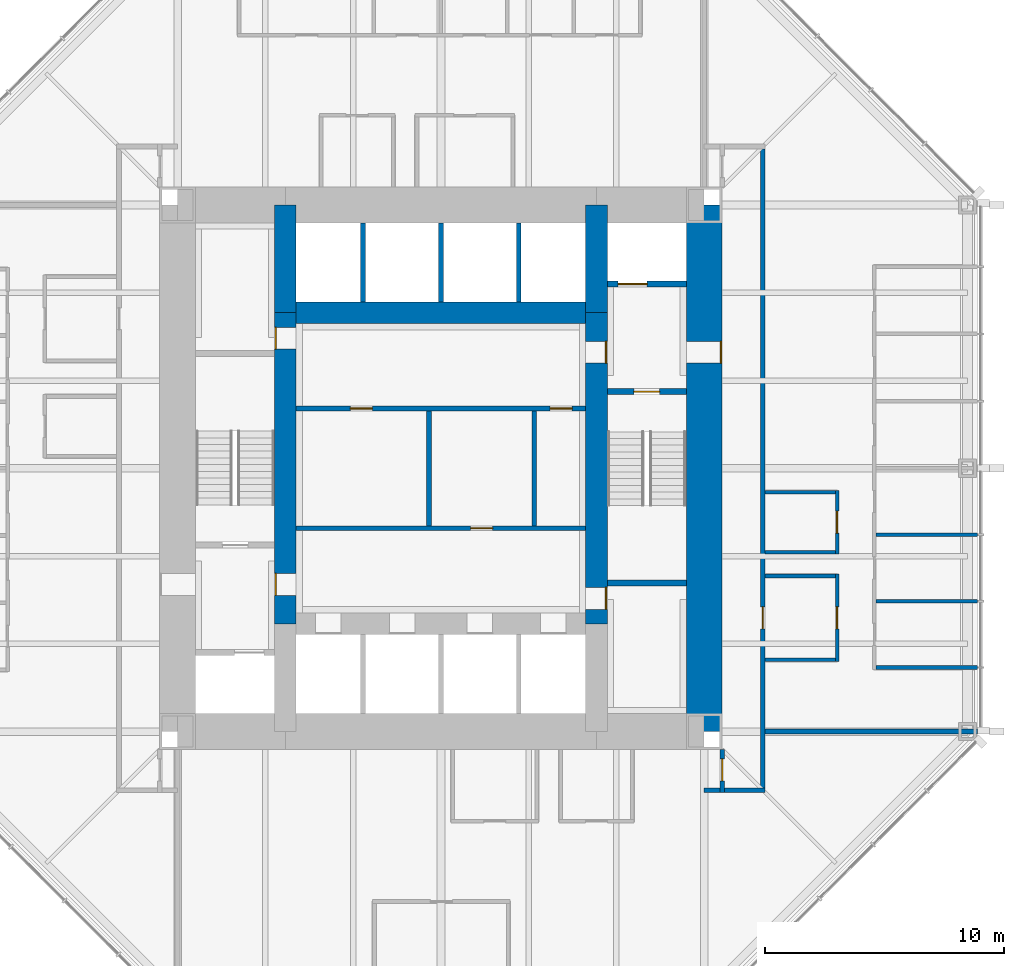
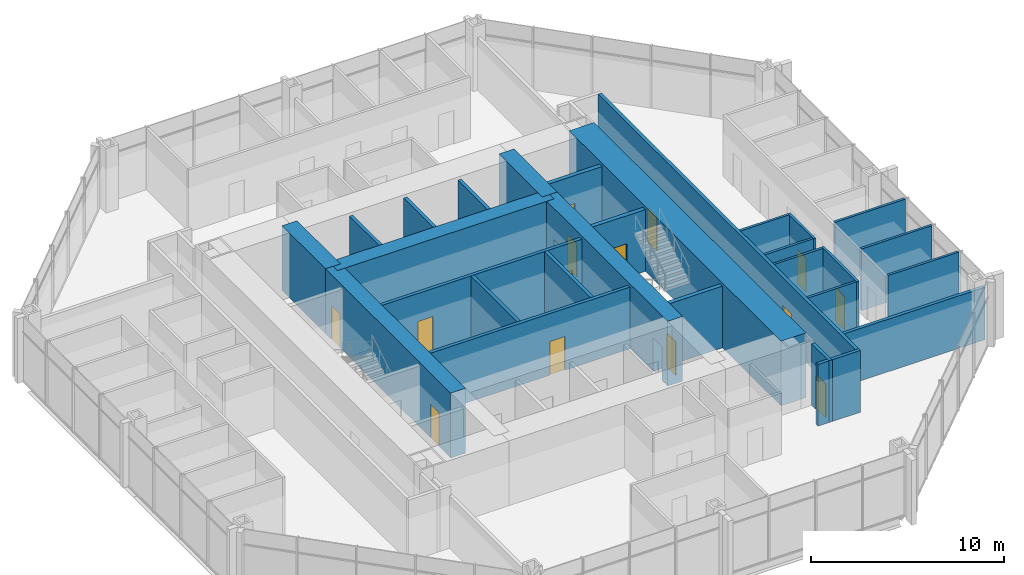
# One storey, part 10 of 14: 29 walls, 14 doors, 14 openings.
"""IFC4 building model written with IfcOpenShell, lengths in metres."""

from ifc_helpers import new_model, si_unit, direction, frame, frame_2d, origin, place, context, subcontext, project, spatial, rectangle, extrude, material, layer, layer_set, type_object, element, fill, save


model = new_model("IFC4")

# Units and contexts
model_context = context("Model", 3, precision=1e-05, world=origin(), true_north=direction((0.0, 1.0)))
body_context = subcontext(model_context, "Body", "Model", "MODEL_VIEW")
ifc_project = project(units=[si_unit("LENGTHUNIT", "METRE"), si_unit("AREAUNIT", "SQUARE_METRE"), si_unit("VOLUMEUNIT", "CUBIC_METRE"), si_unit("PLANEANGLEUNIT", "RADIAN"), si_unit("MASSUNIT", "GRAM", prefix="KILO")], contexts=[model_context])

# Site, building, storey
site_placement = place(None, origin())
site = spatial("IfcSite", under=ifc_project, at=site_placement, CompositionType="ELEMENT")
building_placement = place(site_placement, origin())
building = spatial("IfcBuilding", under=site, at=building_placement, Name="Trevanion Tower", CompositionType="ELEMENT")
storey_placement = place(building_placement, frame((0.0, 0.0, 100.800048828125)))
storey = spatial("IfcBuildingStorey", under=building, at=storey_placement, Name="L23", CompositionType="ELEMENT", Elevation=100.800048828125)

# Wall, opening, door
ifc_material_1 = material(Name="Concrete 10,000 psi", Category="concrete")
ifc_layer_1 = layer(ifc_material_1, 1.5)
ifc_layer_set_1 = layer_set([ifc_layer_1], Name="CW1 core wall 1500")
wall_type_1 = type_object("IfcWallType", Name="CW1 core wall 1500", PredefinedType="SHEAR", material=ifc_layer_set_1)
wall_1_placement = place(storey_placement, frame((11.0, -11.0, 0.0), z_axis=(0.0, 0.0, 1.0), x_axis=(0.0, 1.0, 0.0)))
wall_1 = element("IfcWall", 1, at=wall_1_placement, inside=storey, type_object=wall_type_1, Name="CW1 CE L23", PredefinedType="SHEAR", context=body_context, shape_type="SweptSolid", body=[
    extrude(rectangle(XDim=22.0, YDim=1.5, at=frame_2d((11.0, 0.0))), origin(), (0.0, 0.0, 1.0), 4.099853515625),
])
opening_1_placement = place(wall_1_placement, frame((15.392578125, 0.0, 0.0)))
opening_1 = element("IfcOpeningElement", 2, at=opening_1_placement, cuts=wall_1, Name="Opening 23-001", PredefinedType="OPENING", context=body_context, shape_type="SweptSolid", body=[
    extrude(rectangle(XDim=0.9150390625, YDim=2.134033203125, at=frame_2d((0.45751953125, 1.06689453125))), frame((0.0, 0.760009765625, 0.0), z_axis=(0.0, -1.0, 0.0), x_axis=(1.0, 0.0, 0.0)), (0.0, 0.0, 1.0), 1.52001953125),
])
ifc_material_2 = material(Name="Hollow metal, fire rated", Category="steel")
door_type_1 = type_object("IfcDoorType", Name="D3 fire lift lobby door", OperationType="SINGLE_SWING_RIGHT", PredefinedType="DOOR", material=ifc_material_2)
door_1_placement = place(opening_1_placement, origin())
door_1 = element("IfcDoor", 3, at=door_1_placement, inside=storey, type_object=door_type_1, Name="Door 23-001", OperationType="SINGLE_SWING_RIGHT", OverallHeight=2.134033203125, OverallWidth=0.9150390625, PredefinedType="DOOR", context=body_context, shape_type="SweptSolid", body=[
    extrude(rectangle(XDim=0.9150390625, YDim=2.134033203125, at=frame_2d((0.45751953125, 1.06689453125))), frame((0.0, -0.6748046875, 0.0), z_axis=(0.0, -1.0, 0.0), x_axis=(1.0, 0.0, 0.0)), (0.0, 0.0, 1.0), 0.050048828125),
])
fill(opening_1, door_1)

# Wall, openings, doors
ifc_material_3 = material(Name="Concrete 10,000 psi", Category="concrete")
ifc_layer_2 = layer(ifc_material_3, 0.89990234375)
ifc_layer_set_2 = layer_set([ifc_layer_2], Name="CW2 core wall 900")
wall_type_2 = type_object("IfcWallType", Name="CW2 core wall 900", PredefinedType="SHEAR", material=ifc_layer_set_2)
wall_2_placement = place(storey_placement, frame((6.5, -6.5, 0.0), z_axis=(0.0, 0.0, 1.0), x_axis=(0.0, 1.0, 0.0)))
wall_2 = element("IfcWall", 4, at=wall_2_placement, inside=storey, type_object=wall_type_2, Name="CW2 RE2 L23", PredefinedType="SHEAR", context=body_context, shape_type="SweptSolid", body=[
    extrude(rectangle(XDim=13.0, YDim=0.89990234375, at=frame_2d((6.5, 0.0))), origin(), (0.0, 0.0, 1.0), 4.099853515625),
])
opening_2_placement = place(wall_2_placement, frame((10.892578125, 0.0, 0.0)))
opening_2 = element("IfcOpeningElement", 5, at=opening_2_placement, cuts=wall_2, Name="Opening 23-003", PredefinedType="OPENING", context=body_context, shape_type="SweptSolid", body=[
    extrude(rectangle(XDim=0.9150390625, YDim=2.134033203125, at=frame_2d((0.45751953125, 1.06689453125))), frame((0.0, 0.4599609375, 0.0), z_axis=(0.0, -1.0, 0.0), x_axis=(1.0, 0.0, 0.0)), (0.0, 0.0, 1.0), 0.919921875),
])
opening_3_placement = place(wall_2_placement, frame((0.610107421875, 0.0, 0.0)))
opening_3 = element("IfcOpeningElement", 6, at=opening_3_placement, cuts=wall_2, Name="Opening 23-009", PredefinedType="OPENING", context=body_context, shape_type="SweptSolid", body=[
    extrude(rectangle(XDim=0.9150390625, YDim=2.134033203125, at=frame_2d((0.45751953125, 1.06689453125))), frame((0.0, 0.4599609375, 0.0), z_axis=(0.0, -1.0, 0.0), x_axis=(1.0, 0.0, 0.0)), (0.0, 0.0, 1.0), 0.919921875),
])
door_2_placement = place(opening_2_placement, origin())
door_2 = element("IfcDoor", 7, at=door_2_placement, inside=storey, type_object=door_type_1, Name="Door 23-003", OperationType="SINGLE_SWING_RIGHT", OverallHeight=2.134033203125, OverallWidth=0.9150390625, PredefinedType="DOOR", context=body_context, shape_type="SweptSolid", body=[
    extrude(rectangle(XDim=0.9150390625, YDim=2.134033203125, at=frame_2d((0.45751953125, 1.06689453125))), frame((0.0, -0.375, 0.0), z_axis=(0.0, -1.0, 0.0), x_axis=(1.0, 0.0, 0.0)), (0.0, 0.0, 1.0), 0.050048828125),
])
fill(opening_2, door_2)
ifc_material_4 = material(Name="Hollow metal, fire rated", Category="steel")
door_type_2 = type_object("IfcDoorType", Name="D5 service room door", OperationType="SINGLE_SWING_RIGHT", PredefinedType="DOOR", material=ifc_material_4)
door_3_placement = place(opening_3_placement, origin())
door_3 = element("IfcDoor", 8, at=door_3_placement, inside=storey, type_object=door_type_2, Name="Door 23-009", OperationType="SINGLE_SWING_RIGHT", OverallHeight=2.134033203125, OverallWidth=0.9150390625, PredefinedType="DOOR", context=body_context, shape_type="SweptSolid", body=[
    extrude(rectangle(XDim=0.9150390625, YDim=2.134033203125, at=frame_2d((0.45751953125, 1.06689453125))), frame((0.0, -0.375, 0.0), z_axis=(0.0, -1.0, 0.0), x_axis=(1.0, 0.0, 0.0)), (0.0, 0.0, 1.0), 0.050048828125),
])
fill(opening_3, door_3)

# Walls
for number, where, z_axis, x_axis, name in (
    (9, (6.5, 6.5, 0.0), (0.0, 0.0, 1.0), (0.0, 1.0, 0.0), "CW2 RE3 L23"),
    (10, (-6.5, 11.0, 0.0), (0.0, 0.0, 1.0), (0.0, -1.0, 0.0), "CW2 RW1 L23"),
):
    element("IfcWall", number, at=place(storey_placement, frame(where, z_axis=z_axis, x_axis=x_axis)), inside=storey, type_object=wall_type_2, Name=name, PredefinedType="SHEAR", context=body_context, shape_type="SweptSolid", body=[
        extrude(rectangle(XDim=4.5, YDim=0.89990234375, at=frame_2d((2.25, 0.0))), origin(), (0.0, 0.0, 1.0), 4.099853515625),
    ])

# Wall, openings, doors
wall_3_placement = place(storey_placement, frame((-6.5, 6.5, 0.0), z_axis=(0.0, 0.0, 1.0), x_axis=(0.0, -1.0, 0.0)))
wall_3 = element("IfcWall", 11, at=wall_3_placement, inside=storey, type_object=wall_type_2, Name="CW2 RW2 L23", PredefinedType="SHEAR", context=body_context, shape_type="SweptSolid", body=[
    extrude(rectangle(XDim=13.0, YDim=0.89990234375, at=frame_2d((6.5, 0.0))), origin(), (0.0, 0.0, 1.0), 4.099853515625),
])
opening_4_placement = place(wall_3_placement, frame((10.892578125, 0.0, 0.0)))
opening_4 = element("IfcOpeningElement", 12, at=opening_4_placement, cuts=wall_3, Name="Opening 23-004", PredefinedType="OPENING", context=body_context, shape_type="SweptSolid", body=[
    extrude(rectangle(XDim=0.9150390625, YDim=2.134033203125, at=frame_2d((0.45751953125, 1.06689453125))), frame((0.0, 0.4599609375, 0.0), z_axis=(0.0, -1.0, 0.0), x_axis=(1.0, 0.0, 0.0)), (0.0, 0.0, 1.0), 0.919921875),
])
opening_5_placement = place(wall_3_placement, frame((0.610107421875, 0.0, 0.0)))
opening_5 = element("IfcOpeningElement", 13, at=opening_5_placement, cuts=wall_3, Name="Opening 23-010", PredefinedType="OPENING", context=body_context, shape_type="SweptSolid", body=[
    extrude(rectangle(XDim=0.9150390625, YDim=2.134033203125, at=frame_2d((0.45751953125, 1.06689453125))), frame((0.0, 0.4599609375, 0.0), z_axis=(0.0, -1.0, 0.0), x_axis=(1.0, 0.0, 0.0)), (0.0, 0.0, 1.0), 0.919921875),
])
door_4_placement = place(opening_4_placement, origin())
door_4 = element("IfcDoor", 14, at=door_4_placement, inside=storey, type_object=door_type_1, Name="Door 23-004", OperationType="SINGLE_SWING_RIGHT", OverallHeight=2.134033203125, OverallWidth=0.9150390625, PredefinedType="DOOR", context=body_context, shape_type="SweptSolid", body=[
    extrude(rectangle(XDim=0.9150390625, YDim=2.134033203125, at=frame_2d((0.45751953125, 1.06689453125))), frame((0.0, -0.375, 0.0), z_axis=(0.0, -1.0, 0.0), x_axis=(1.0, 0.0, 0.0)), (0.0, 0.0, 1.0), 0.050048828125),
])
fill(opening_4, door_4)
door_5_placement = place(opening_5_placement, origin())
door_5 = element("IfcDoor", 15, at=door_5_placement, inside=storey, type_object=door_type_2, Name="Door 23-010", OperationType="SINGLE_SWING_RIGHT", OverallHeight=2.134033203125, OverallWidth=0.9150390625, PredefinedType="DOOR", context=body_context, shape_type="SweptSolid", body=[
    extrude(rectangle(XDim=0.9150390625, YDim=2.134033203125, at=frame_2d((0.45751953125, 1.06689453125))), frame((0.0, -0.375, 0.0), z_axis=(0.0, -1.0, 0.0), x_axis=(1.0, 0.0, 0.0)), (0.0, 0.0, 1.0), 0.050048828125),
])
fill(opening_5, door_5)

# Walls
wall_4_placement = place(storey_placement, frame((6.5, 6.5, 0.0), z_axis=(0.0, 0.0, 1.0), x_axis=(-1.0, 0.0, 0.0)))
element("IfcWall", 16, at=wall_4_placement, inside=storey, type_object=wall_type_2, Name="CW2 RN L23", PredefinedType="SHEAR", context=body_context, shape_type="SweptSolid", body=[
    extrude(rectangle(XDim=13.0, YDim=0.89990234375, at=frame_2d((6.5, 0.0))), origin(), (0.0, 0.0, 1.0), 4.099853515625),
])
ifc_material_5 = material(Name="Gypsum board on steel studs", Category="steel")
ifc_layer_3 = layer(ifc_material_5, 0.14990234375)
ifc_layer_set_3 = layer_set([ifc_layer_3], Name="PT1 partition 150")
wall_type_3 = type_object("IfcWallType", Name="PT1 partition 150", PredefinedType="PARTITIONING", material=ifc_layer_set_3)
for number, where, z_axis, x_axis, name in (
    (17, (18.175048828125, -8.322998046875, 0.0), (0.0, 0.0, 1.0), (1.0, 0.0, 0.0), "PT1 L23 FC0S0"),
    (18, (18.175048828125, -5.549072265625, 0.0), (0.0, 0.0, 1.0), (1.0, 0.0, 0.0), "PT1 L23 FC0S1"),
    (19, (18.175048828125, -2.77490234375, 0.0), (0.0, 0.0, 1.0), (1.0, 0.0, 0.0), "PT1 L23 FC0S2"),
):
    element("IfcWall", number, at=place(storey_placement, frame(where, z_axis=z_axis, x_axis=x_axis)), inside=storey, type_object=wall_type_3, Name=name, PredefinedType="PARTITIONING", context=body_context, shape_type="SweptSolid", body=[
        extrude(rectangle(XDim=4.239990234375, YDim=0.14990234375, at=frame_2d((2.1201171875, 0.0))), origin(), (0.0, 0.0, 1.0), 3.909912109375),
    ])

# Wall, opening, door
wall_5_placement = place(storey_placement, frame((16.550048828125, -8.074951171875, 0.0), z_axis=(0.0, 0.0, 1.0), x_axis=(0.0, 1.0, 0.0)))
wall_5 = element("IfcWall", 20, at=wall_5_placement, inside=storey, type_object=wall_type_3, Name="PT1 L23 IN00F", PredefinedType="PARTITIONING", context=body_context, shape_type="SweptSolid", body=[
    extrude(rectangle(XDim=3.64990234375, YDim=0.14990234375, at=frame_2d((1.824951171875, 0.0))), origin(), (0.0, 0.0, 1.0), 3.909912109375),
])
opening_6_placement = place(wall_5_placement, frame((1.367431640625, 0.0, 0.0)))
opening_6 = element("IfcOpeningElement", 21, at=opening_6_placement, cuts=wall_5, Name="Opening 23-040", PredefinedType="OPENING", context=body_context, shape_type="SweptSolid", body=[
    extrude(rectangle(XDim=0.9150390625, YDim=2.134033203125, at=frame_2d((0.45751953125, 1.06689453125))), frame((0.0, 0.0849609375, 0.0), z_axis=(0.0, -1.0, 0.0), x_axis=(1.0, 0.0, 0.0)), (0.0, 0.0, 1.0), 0.169921875),
])
ifc_material_6 = material(Name="Timber veneer, solid core", Category="wood")
door_type_3 = type_object("IfcDoorType", Name="D1 office and meeting room door", OperationType="SINGLE_SWING_LEFT", PredefinedType="DOOR", material=ifc_material_6)
door_6_placement = place(opening_6_placement, origin())
door_6 = element("IfcDoor", 22, at=door_6_placement, inside=storey, type_object=door_type_3, Name="Door 23-040", OperationType="SINGLE_SWING_LEFT", OverallHeight=2.134033203125, OverallWidth=0.9150390625, PredefinedType="DOOR", context=body_context, shape_type="SweptSolid", body=[
    extrude(rectangle(XDim=0.9150390625, YDim=2.134033203125, at=frame_2d((0.45751953125, 1.06689453125))), frame((0.0, 0.02490234375, 0.0), z_axis=(0.0, -1.0, 0.0), x_axis=(1.0, 0.0, 0.0)), (0.0, 0.0, 1.0), 0.050048828125),
])
fill(opening_6, door_6)

# Walls
for number, where, z_axis, x_axis, name in (
    (23, (16.47509765625, -8.0, 0.0), (0.0, 0.0, 1.0), (-1.0, 0.0, 0.0), "PT1 L23 IN00S0"),
    (24, (16.47509765625, -4.5, 0.0), (0.0, 0.0, 1.0), (-1.0, 0.0, 0.0), "PT1 L23 IN00S1"),
):
    element("IfcWall", number, at=place(storey_placement, frame(where, z_axis=z_axis, x_axis=x_axis)), inside=storey, type_object=wall_type_3, Name=name, PredefinedType="PARTITIONING", context=body_context, shape_type="SweptSolid", body=[
        extrude(rectangle(XDim=2.925048828125, YDim=0.14990234375, at=frame_2d((1.46240234375, 0.0))), origin(), (0.0, 0.0, 1.0), 3.909912109375),
    ])

# Wall, opening, door
wall_6_placement = place(storey_placement, frame((16.550048828125, -3.574951171875, 0.0), z_axis=(0.0, 0.0, 1.0), x_axis=(0.0, 1.0, 0.0)))
wall_6 = element("IfcWall", 25, at=wall_6_placement, inside=storey, type_object=wall_type_3, Name="PT1 L23 IN01F", PredefinedType="PARTITIONING", context=body_context, shape_type="SweptSolid", body=[
    extrude(rectangle(XDim=2.64990234375, YDim=0.14990234375, at=frame_2d((1.324951171875, 0.0))), origin(), (0.0, 0.0, 1.0), 3.909912109375),
])
opening_7_placement = place(wall_6_placement, frame((0.867431640625, 0.0, 0.0)))
opening_7 = element("IfcOpeningElement", 26, at=opening_7_placement, cuts=wall_6, Name="Opening 23-042", PredefinedType="OPENING", context=body_context, shape_type="SweptSolid", body=[
    extrude(rectangle(XDim=0.9150390625, YDim=2.134033203125, at=frame_2d((0.45751953125, 1.06689453125))), frame((0.0, 0.0849609375, 0.0), z_axis=(0.0, -1.0, 0.0), x_axis=(1.0, 0.0, 0.0)), (0.0, 0.0, 1.0), 0.169921875),
])
door_7_placement = place(opening_7_placement, origin())
door_7 = element("IfcDoor", 27, at=door_7_placement, inside=storey, type_object=door_type_3, Name="Door 23-042", OperationType="SINGLE_SWING_LEFT", OverallHeight=2.134033203125, OverallWidth=0.9150390625, PredefinedType="DOOR", context=body_context, shape_type="SweptSolid", body=[
    extrude(rectangle(XDim=0.9150390625, YDim=2.134033203125, at=frame_2d((0.45751953125, 1.06689453125))), frame((0.0, 0.02490234375, 0.0), z_axis=(0.0, -1.0, 0.0), x_axis=(1.0, 0.0, 0.0)), (0.0, 0.0, 1.0), 0.050048828125),
])
fill(opening_7, door_7)

# Walls
for number, where, z_axis, x_axis, name in (
    (28, (16.47509765625, -3.5, 0.0), (0.0, 0.0, 1.0), (-1.0, 0.0, 0.0), "PT1 L23 IN01S0"),
    (29, (16.47509765625, -1.0, 0.0), (0.0, 0.0, 1.0), (-1.0, 0.0, 0.0), "PT1 L23 IN01S1"),
):
    element("IfcWall", number, at=place(storey_placement, frame(where, z_axis=z_axis, x_axis=x_axis)), inside=storey, type_object=wall_type_3, Name=name, PredefinedType="PARTITIONING", context=body_context, shape_type="SweptSolid", body=[
        extrude(rectangle(XDim=2.925048828125, YDim=0.14990234375, at=frame_2d((1.46240234375, 0.0))), origin(), (0.0, 0.0, 1.0), 3.909912109375),
    ])
ifc_material_7 = material(Name="Concrete masonry, grouted", Category="masonry")
ifc_layer_4 = layer(ifc_material_7, 0.199951171875)
ifc_layer_set_4 = layer_set([ifc_layer_4], Name="PT2 partition 200")
wall_type_4 = type_object("IfcWallType", Name="PT2 partition 200", PredefinedType="PARTITIONING", material=ifc_layer_set_4)
for number, where, z_axis, x_axis, name in (
    (30, (-0.5, -2.39990234375, 0.0), (0.0, 0.0, 1.0), (0.0, 1.0, 0.0), "PT2 L23 TP1"),
    (31, (3.89990234375, -2.39990234375, 0.0), (0.0, 0.0, 1.0), (0.0, 1.0, 0.0), "PT2 L23 TP2"),
):
    element("IfcWall", number, at=place(storey_placement, frame(where, z_axis=z_axis, x_axis=x_axis)), inside=storey, type_object=wall_type_4, Name=name, PredefinedType="PARTITIONING", context=body_context, shape_type="SweptSolid", body=[
        extrude(rectangle(XDim=4.7998046875, YDim=0.199951171875, at=frame_2d((2.39990234375, 0.0))), origin(), (0.0, 0.0, 1.0), 3.909912109375),
    ])

# Wall, openings, doors
ifc_material_8 = material(Name="Concrete masonry, grouted", Category="masonry")
ifc_layer_5 = layer(ifc_material_8, 0.199951171875)
ifc_layer_set_5 = layer_set([ifc_layer_5], Name="PT2 partition 200 1 HR")
wall_type_5 = type_object("IfcWallType", Name="PT2 partition 200 1 HR", PredefinedType="PARTITIONING", material=ifc_layer_set_5)
wall_7_placement = place(storey_placement, frame((-6.050048828125, 2.5, 0.0), z_axis=(0.0, 0.0, 1.0), x_axis=(1.0, 0.0, 0.0)))
wall_7 = element("IfcWall", 32, at=wall_7_placement, inside=storey, type_object=wall_type_5, Name="PT2 L23 CP1", PredefinedType="PARTITIONING", context=body_context, shape_type="SweptSolid", body=[
    extrude(rectangle(XDim=12.10009765625, YDim=0.199951171875, at=frame_2d((6.050048828125, 0.0))), origin(), (0.0, 0.0, 1.0), 3.909912109375),
])
opening_8_placement = place(wall_7_placement, frame((2.267578125, 0.0, 0.0)))
opening_8 = element("IfcOpeningElement", 33, at=opening_8_placement, cuts=wall_7, Name="Opening 23-015", PredefinedType="OPENING", context=body_context, shape_type="SweptSolid", body=[
    extrude(rectangle(XDim=0.9150390625, YDim=2.134033203125, at=frame_2d((0.45751953125, 1.06689453125))), frame((0.0, 0.10986328125, 0.0), z_axis=(0.0, -1.0, 0.0), x_axis=(1.0, 0.0, 0.0)), (0.0, 0.0, 1.0), 0.219970703125),
])
opening_9_placement = place(wall_7_placement, frame((10.617431640625, 0.0, 0.0)))
opening_9 = element("IfcOpeningElement", 34, at=opening_9_placement, cuts=wall_7, Name="Opening 23-017", PredefinedType="OPENING", context=body_context, shape_type="SweptSolid", body=[
    extrude(rectangle(XDim=0.9150390625, YDim=2.134033203125, at=frame_2d((0.45751953125, 1.06689453125))), frame((0.0, 0.10986328125, 0.0), z_axis=(0.0, -1.0, 0.0), x_axis=(1.0, 0.0, 0.0)), (0.0, 0.0, 1.0), 0.219970703125),
])
ifc_material_9 = material(Name="Plastic laminate on fire-rated core", Category="wood")
door_type_4 = type_object("IfcDoorType", Name="D12 toilet door in a one hour wall", OperationType="SINGLE_SWING_LEFT", PredefinedType="DOOR", material=ifc_material_9)
door_8_placement = place(opening_8_placement, origin())
door_8 = element("IfcDoor", 35, at=door_8_placement, inside=storey, type_object=door_type_4, Name="Door 23-015", OperationType="SINGLE_SWING_LEFT", OverallHeight=2.134033203125, OverallWidth=0.9150390625, PredefinedType="DOOR", context=body_context, shape_type="SweptSolid", body=[
    extrude(rectangle(XDim=0.9150390625, YDim=2.134033203125, at=frame_2d((0.45751953125, 1.06689453125))), frame((0.0, 0.02490234375, 0.0), z_axis=(0.0, -1.0, 0.0), x_axis=(1.0, 0.0, 0.0)), (0.0, 0.0, 1.0), 0.050048828125),
])
fill(opening_8, door_8)
door_9_placement = place(opening_9_placement, origin())
door_9 = element("IfcDoor", 36, at=door_9_placement, inside=storey, type_object=door_type_4, Name="Door 23-017", OperationType="SINGLE_SWING_LEFT", OverallHeight=2.134033203125, OverallWidth=0.9150390625, PredefinedType="DOOR", context=body_context, shape_type="SweptSolid", body=[
    extrude(rectangle(XDim=0.9150390625, YDim=2.134033203125, at=frame_2d((0.45751953125, 1.06689453125))), frame((0.0, 0.02490234375, 0.0), z_axis=(0.0, -1.0, 0.0), x_axis=(1.0, 0.0, 0.0)), (0.0, 0.0, 1.0), 0.050048828125),
])
fill(opening_9, door_9)

# Wall, opening, door
wall_8_placement = place(storey_placement, frame((6.050048828125, -2.5, 0.0), z_axis=(0.0, 0.0, 1.0), x_axis=(-1.0, 0.0, 0.0)))
wall_8 = element("IfcWall", 37, at=wall_8_placement, inside=storey, type_object=wall_type_5, Name="PT2 L23 CP2", PredefinedType="PARTITIONING", context=body_context, shape_type="SweptSolid", body=[
    extrude(rectangle(XDim=12.10009765625, YDim=0.199951171875, at=frame_2d((6.050048828125, 0.0))), origin(), (0.0, 0.0, 1.0), 3.909912109375),
])
opening_10_placement = place(wall_8_placement, frame((3.892578125, 0.0, 0.0)))
opening_10 = element("IfcOpeningElement", 38, at=opening_10_placement, cuts=wall_8, Name="Opening 23-016", PredefinedType="OPENING", context=body_context, shape_type="SweptSolid", body=[
    extrude(rectangle(XDim=0.9150390625, YDim=2.134033203125, at=frame_2d((0.45751953125, 1.06689453125))), frame((0.0, 0.10986328125, 0.0), z_axis=(0.0, -1.0, 0.0), x_axis=(1.0, 0.0, 0.0)), (0.0, 0.0, 1.0), 0.219970703125),
])
door_10_placement = place(opening_10_placement, origin())
door_10 = element("IfcDoor", 39, at=door_10_placement, inside=storey, type_object=door_type_4, Name="Door 23-016", OperationType="SINGLE_SWING_LEFT", OverallHeight=2.134033203125, OverallWidth=0.9150390625, PredefinedType="DOOR", context=body_context, shape_type="SweptSolid", body=[
    extrude(rectangle(XDim=0.9150390625, YDim=2.134033203125, at=frame_2d((0.45751953125, 1.06689453125))), frame((0.0, 0.02490234375, 0.0), z_axis=(0.0, -1.0, 0.0), x_axis=(1.0, 0.0, 0.0)), (0.0, 0.0, 1.0), 0.050048828125),
])
fill(opening_10, door_10)

wall_9_placement = place(storey_placement, frame((13.449951171875, -13.550048828125, 0.0), z_axis=(0.0, 0.0, 1.0), x_axis=(0.0, 1.0, 0.0)))
wall_9 = element("IfcWall", 40, at=wall_9_placement, inside=storey, type_object=wall_type_5, Name="PT2 L23 OC0", PredefinedType="PARTITIONING", context=body_context, shape_type="SweptSolid", body=[
    extrude(rectangle(XDim=26.900146484375, YDim=0.199951171875, at=frame_2d((13.4501953125, 0.0))), origin(), (0.0, 0.0, 1.0), 3.909912109375),
])
opening_11_placement = place(wall_9_placement, frame((6.842529296875, 0.0, 0.0)))
opening_11 = element("IfcOpeningElement", 41, at=opening_11_placement, cuts=wall_9, Name="Opening 23-041", PredefinedType="OPENING", context=body_context, shape_type="SweptSolid", body=[
    extrude(rectangle(XDim=0.9150390625, YDim=2.134033203125, at=frame_2d((0.45751953125, 1.06689453125))), frame((0.0, 0.10986328125, 0.0), z_axis=(0.0, -1.0, 0.0), x_axis=(1.0, 0.0, 0.0)), (0.0, 0.0, 1.0), 0.219970703125),
])
ifc_material_10 = material(Name="Timber veneer, fire rated", Category="wood")
door_type_5 = type_object("IfcDoorType", Name="D10 office door in a one hour wall", OperationType="SINGLE_SWING_LEFT", PredefinedType="DOOR", material=ifc_material_10)
door_11_placement = place(opening_11_placement, origin())
door_11 = element("IfcDoor", 42, at=door_11_placement, inside=storey, type_object=door_type_5, Name="Door 23-041", OperationType="SINGLE_SWING_LEFT", OverallHeight=2.134033203125, OverallWidth=0.9150390625, PredefinedType="DOOR", context=body_context, shape_type="SweptSolid", body=[
    extrude(rectangle(XDim=0.9150390625, YDim=2.134033203125, at=frame_2d((0.45751953125, 1.06689453125))), frame((0.0, 0.02490234375, 0.0), z_axis=(0.0, -1.0, 0.0), x_axis=(1.0, 0.0, 0.0)), (0.0, 0.0, 1.0), 0.050048828125),
])
fill(opening_11, door_11)

wall_10_placement = place(storey_placement, frame((11.75, -11.75, 0.0), z_axis=(0.0, 0.0, 1.0), x_axis=(0.0, -1.0, 0.0)))
wall_10 = element("IfcWall", 43, at=wall_10_placement, inside=storey, type_object=wall_type_5, Name="PT2 L23 OUSE1", PredefinedType="PARTITIONING", context=body_context, shape_type="SweptSolid", body=[
    extrude(rectangle(XDim=1.800048828125, YDim=0.199951171875, at=frame_2d((0.89990234375, 0.0))), origin(), (0.0, 0.0, 1.0), 3.909912109375),
])
opening_12_placement = place(wall_10_placement, frame((0.392578125, 0.0, 0.0)))
opening_12 = element("IfcOpeningElement", 44, at=opening_12_placement, cuts=wall_10, Name="Opening 23-020", PredefinedType="OPENING", context=body_context, shape_type="SweptSolid", body=[
    extrude(rectangle(XDim=0.9150390625, YDim=2.134033203125, at=frame_2d((0.45751953125, 1.06689453125))), frame((0.0, 0.10986328125, 0.0), z_axis=(0.0, -1.0, 0.0), x_axis=(1.0, 0.0, 0.0)), (0.0, 0.0, 1.0), 0.219970703125),
])
door_12_placement = place(opening_12_placement, origin())
door_12 = element("IfcDoor", 45, at=door_12_placement, inside=storey, type_object=door_type_5, Name="Door 23-020", OperationType="SINGLE_SWING_LEFT", OverallHeight=2.134033203125, OverallWidth=0.9150390625, PredefinedType="DOOR", context=body_context, shape_type="SweptSolid", body=[
    extrude(rectangle(XDim=0.9150390625, YDim=2.134033203125, at=frame_2d((0.45751953125, 1.06689453125))), frame((0.0, 0.02490234375, 0.0), z_axis=(0.0, -1.0, 0.0), x_axis=(1.0, 0.0, 0.0)), (0.0, 0.0, 1.0), 0.050048828125),
])
fill(opening_12, door_12)

# Walls
wall_11_placement = place(storey_placement, frame((11.0, -13.449951171875, 0.0), z_axis=(0.0, 0.0, 1.0), x_axis=(1.0, 0.0, 0.0)))
element("IfcWall", 46, at=wall_11_placement, inside=storey, type_object=wall_type_5, Name="PT2 L23 OUSE2", PredefinedType="PARTITIONING", context=body_context, shape_type="SweptSolid", body=[
    extrude(rectangle(XDim=2.550048828125, YDim=0.199951171875, at=frame_2d((1.27490234375, 0.0))), origin(), (0.0, 0.0, 1.0), 3.909912109375),
])
wall_12_placement = place(storey_placement, frame((13.550048828125, -11.0, 0.0), z_axis=(0.0, 0.0, 1.0), x_axis=(1.0, 0.0, 0.0)))
element("IfcWall", 47, at=wall_12_placement, inside=storey, type_object=wall_type_5, Name="PT2 L23 DM3", PredefinedType="PARTITIONING", context=body_context, shape_type="SweptSolid", body=[
    extrude(rectangle(XDim=8.864990234375, YDim=0.199951171875, at=frame_2d((4.4326171875, 0.0))), origin(), (0.0, 0.0, 1.0), 3.32568359375),
])
ifc_material_11 = material(Name="Concrete masonry, grouted", Category="masonry")
ifc_layer_6 = layer(ifc_material_11, 0.199951171875)
ifc_layer_set_6 = layer_set([ifc_layer_6], Name="PT2 partition 200 2 HR")
wall_type_6 = type_object("IfcWallType", Name="PT2 partition 200 2 HR", PredefinedType="PARTITIONING", material=ifc_layer_set_6)
for number, where, z_axis, x_axis, name in (
    (48, (-3.25, 6.949951171875, 0.0), (0.0, 0.0, 1.0), (0.0, 1.0, 0.0), "PT2 L23 NS0"),
    (49, (0.0, 6.949951171875, 0.0), (0.0, 0.0, 1.0), (0.0, 1.0, 0.0), "PT2 L23 NS1"),
    (50, (3.25, 6.949951171875, 0.0), (0.0, 0.0, 1.0), (0.0, 1.0, 0.0), "PT2 L23 NS2"),
):
    element("IfcWall", number, at=place(storey_placement, frame(where, z_axis=z_axis, x_axis=x_axis)), inside=storey, type_object=wall_type_6, Name=name, PredefinedType="PARTITIONING", context=body_context, shape_type="SweptSolid", body=[
        extrude(rectangle(XDim=3.300048828125, YDim=0.199951171875, at=frame_2d((1.64990234375, 0.0))), origin(), (0.0, 0.0, 1.0), 3.909912109375),
    ])

# Wall, opening, door
ifc_material_12 = material(Name="Concrete masonry, grouted, two-hour", Category="masonry")
ifc_layer_7 = layer(ifc_material_12, 0.25)
ifc_layer_set_7 = layer_set([ifc_layer_7], Name="PT3 partition 250 2 HR")
wall_type_7 = type_object("IfcWallType", Name="PT3 partition 250 2 HR", PredefinedType="PARTITIONING", material=ifc_layer_set_7)
wall_13_placement = place(storey_placement, frame((6.949951171875, 7.699951171875, 0.0), z_axis=(0.0, 0.0, 1.0), x_axis=(1.0, 0.0, 0.0)))
wall_13 = element("IfcWall", 51, at=wall_13_placement, inside=storey, type_object=wall_type_7, Name="PT3 L23 EP3", PredefinedType="PARTITIONING", context=body_context, shape_type="SweptSolid", body=[
    extrude(rectangle(XDim=3.300048828125, YDim=0.25, at=frame_2d((1.64990234375, 0.0))), origin(), (0.0, 0.0, 1.0), 3.909912109375),
])
opening_13_placement = place(wall_13_placement, frame((0.449951171875, 0.0, 0.0)))
opening_13 = element("IfcOpeningElement", 52, at=opening_13_placement, cuts=wall_13, Name="Opening 23-007", PredefinedType="OPENING", context=body_context, shape_type="SweptSolid", body=[
    extrude(rectangle(XDim=1.218994140625, YDim=2.134033203125, at=frame_2d((0.609375, 1.06689453125))), frame((0.0, 0.135009765625, 0.0), z_axis=(0.0, -1.0, 0.0), x_axis=(1.0, 0.0, 0.0)), (0.0, 0.0, 1.0), 0.27001953125),
])
ifc_material_13 = material(Name="Stainless steel, fire rated", Category="steel")
door_type_6 = type_object("IfcDoorType", Name="LD2 fire service lift landing door", OperationType="SLIDING_TO_LEFT", PredefinedType="DOOR", material=ifc_material_13)
door_13_placement = place(opening_13_placement, origin())
door_13 = element("IfcDoor", 53, at=door_13_placement, inside=storey, type_object=door_type_6, Name="Door 23-007", OperationType="SLIDING_TO_LEFT", OverallHeight=2.134033203125, OverallWidth=1.218994140625, PredefinedType="DOOR", context=body_context, shape_type="SweptSolid", body=[
    extrude(rectangle(XDim=1.218994140625, YDim=2.134033203125, at=frame_2d((0.609375, 1.06689453125))), frame((0.0, 0.02490234375, 0.0), z_axis=(0.0, -1.0, 0.0), x_axis=(1.0, 0.0, 0.0)), (0.0, 0.0, 1.0), 0.050048828125),
])
fill(opening_13, door_13)

# Wall
ifc_material_14 = material(Name="Reinforced masonry, fully grouted", Category="masonry")
ifc_layer_8 = layer(ifc_material_14, 0.25)
ifc_layer_set_8 = layer_set([ifc_layer_8], Name="SW1 stair shaft wall 250")
wall_type_8 = type_object("IfcWallType", Name="SW1 stair shaft wall 250", PredefinedType="SOLIDWALL", material=ifc_layer_set_8)
wall_14_placement = place(storey_placement, frame((6.949951171875, -4.800048828125, 0.0), z_axis=(0.0, 0.0, 1.0), x_axis=(1.0, 0.0, 0.0)))
element("IfcWall", 54, at=wall_14_placement, inside=storey, type_object=wall_type_8, Name="SW1 L23 EP1", PredefinedType="SOLIDWALL", context=body_context, shape_type="SweptSolid", body=[
    extrude(rectangle(XDim=3.300048828125, YDim=0.25, at=frame_2d((1.64990234375, 0.0))), origin(), (0.0, 0.0, 1.0), 3.909912109375),
])

# Wall, opening, door
wall_15_placement = place(storey_placement, frame((6.949951171875, 3.199951171875, 0.0), z_axis=(0.0, 0.0, 1.0), x_axis=(1.0, 0.0, 0.0)))
wall_15 = element("IfcWall", 55, at=wall_15_placement, inside=storey, type_object=wall_type_8, Name="SW1 L23 EP2", PredefinedType="SOLIDWALL", context=body_context, shape_type="SweptSolid", body=[
    extrude(rectangle(XDim=3.300048828125, YDim=0.25, at=frame_2d((1.64990234375, 0.0))), origin(), (0.0, 0.0, 1.0), 3.909912109375),
])
opening_14_placement = place(wall_15_placement, frame((1.116455078125, 0.0, 0.0)))
opening_14 = element("IfcOpeningElement", 56, at=opening_14_placement, cuts=wall_15, Name="Opening 23-005", PredefinedType="OPENING", context=body_context, shape_type="SweptSolid", body=[
    extrude(rectangle(XDim=1.06689453125, YDim=2.134033203125, at=frame_2d((0.533447265625, 1.06689453125))), frame((0.0, 0.135009765625, 0.0), z_axis=(0.0, -1.0, 0.0), x_axis=(1.0, 0.0, 0.0)), (0.0, 0.0, 1.0), 0.27001953125),
])
ifc_material_15 = material(Name="Hollow metal, fire rated", Category="steel")
door_type_7 = type_object("IfcDoorType", Name="D2 exit stair door", OperationType="SINGLE_SWING_LEFT", PredefinedType="DOOR", material=ifc_material_15)
door_14_placement = place(opening_14_placement, origin())
door_14 = element("IfcDoor", 57, at=door_14_placement, inside=storey, type_object=door_type_7, Name="Door 23-005", OperationType="SINGLE_SWING_LEFT", OverallHeight=2.134033203125, OverallWidth=1.06689453125, PredefinedType="DOOR", context=body_context, shape_type="SweptSolid", body=[
    extrude(rectangle(XDim=1.06689453125, YDim=2.134033203125, at=frame_2d((0.533447265625, 1.06689453125))), frame((0.0, 0.02490234375, 0.0), z_axis=(0.0, -1.0, 0.0), x_axis=(1.0, 0.0, 0.0)), (0.0, 0.0, 1.0), 0.050048828125),
])
fill(opening_14, door_14)

save(model, "model.ifc")
